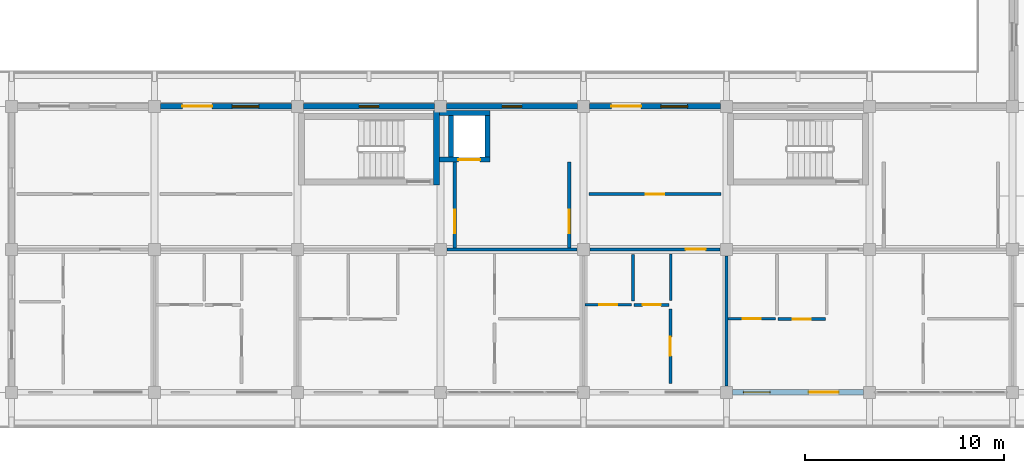
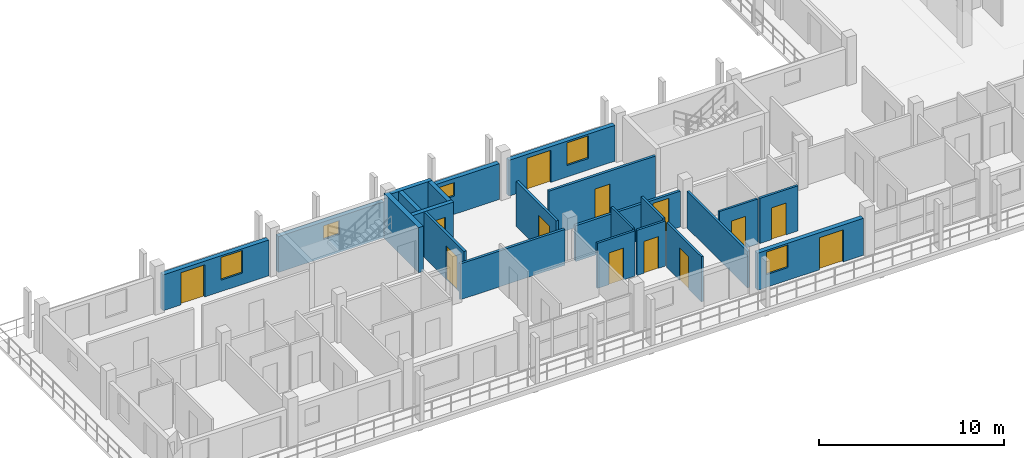
# One storey, part 52 of 76: 23 walls, 13 doors, 5 windows, 18 openings.
"""IFC4 building model written with IfcOpenShell, lengths in metres."""

from ifc_helpers import new_model, si_unit, direction, frame, frame_2d, origin, place, context, subcontext, project, spatial, rectangle, extrude, material, layer, layer_set, type_object, element, fill, save


model = new_model("IFC4")

# Units and contexts
model_context = context("Model", 3, precision=1e-05, world=origin(), true_north=direction((0.0, 1.0)))
body_context = subcontext(model_context, "Body", "Model", "MODEL_VIEW")
ifc_project = project(units=[si_unit("LENGTHUNIT", "METRE"), si_unit("AREAUNIT", "SQUARE_METRE"), si_unit("VOLUMEUNIT", "CUBIC_METRE"), si_unit("PLANEANGLEUNIT", "RADIAN"), si_unit("MASSUNIT", "GRAM", prefix="KILO")], contexts=[model_context])

# Site, building, storey
site_placement = place(None, origin())
site = spatial("IfcSite", under=ifc_project, at=site_placement, CompositionType="ELEMENT")
building_placement = place(site_placement, origin())
building = spatial("IfcBuilding", under=site, at=building_placement, Name="Suanplinth Sawtooth Commons", CompositionType="ELEMENT")
storey_placement = place(building_placement, frame((0.0, 0.0, 12.199951171875)))
storey = spatial("IfcBuildingStorey", under=building, at=storey_placement, Name="L03", CompositionType="ELEMENT", Elevation=12.199951171875)

# Wall
ifc_material_1 = material(Name="Concrete C40/50", Category="concrete")
ifc_layer_1 = layer(ifc_material_1, 0.300048828125, Name="Standard RC stair and lift core wall 300mm")
ifc_layer_set_1 = layer_set([ifc_layer_1], Name="Concrete C40/50")
wall_type_1 = type_object("IfcWallType", Name="W-CR02", PredefinedType="SHEAR", material=ifc_layer_set_1)
wall_1_placement = place(storey_placement, frame((143.800048828125, 10.449951171875, 0.0), z_axis=(0.0, 0.0, 1.0), x_axis=(0.0, 1.0, 0.0)))
element("IfcWall", 1, at=wall_1_placement, inside=storey, type_object=wall_type_1, Name="W-L03-C-C1-STE", PredefinedType="SHEAR", context=body_context, shape_type="SweptSolid", body=[
    extrude(rectangle(XDim=3.75, YDim=0.300048828125, at=frame_2d((1.875, 0.0))), origin(), (0.0, 0.0, 1.0), 2.97998046875),
])

# Wall, openings, door, window
ifc_material_2 = material(Name="Precast concrete C40/50", Category="concrete")
ifc_layer_2 = layer(ifc_material_2, 0.280029296875, Name="Insulated precast architectural facade wall 280mm")
ifc_layer_set_2 = layer_set([ifc_layer_2], Name="Precast concrete C40/50")
wall_type_2 = type_object("IfcWallType", Name="W-EX01", PredefinedType="ELEMENTEDWALL", material=ifc_layer_set_2)
wall_2_placement = place(storey_placement, frame((129.89990234375, 14.39990234375, 0.0), z_axis=(0.0, 0.0, 1.0), x_axis=(1.0, 0.0, 0.0)))
wall_2 = element("IfcWall", 2, at=wall_2_placement, inside=storey, type_object=wall_type_2, Name="Facade Wall W-L03-C-N-18-1", PredefinedType="ELEMENTEDWALL", context=body_context, shape_type="SweptSolid", body=[
    extrude(rectangle(XDim=6.60009765625, YDim=0.280029296875, at=frame_2d((3.300048828125, 0.0))), origin(), (0.0, 0.0, 1.0), 2.364990234375),
])
opening_1_placement = place(wall_2_placement, frame((1.10009765625, 0.0, 0.0)))
opening_1 = element("IfcOpeningElement", 3, at=opening_1_placement, cuts=wall_2, Name="Opening ED0271", PredefinedType="OPENING", context=body_context, shape_type="SweptSolid", body=[
    extrude(rectangle(XDim=1.5, YDim=2.1201171875, at=frame_2d((0.75, 1.06005859375))), frame((0.0, 0.15478515625, 0.0), z_axis=(0.0, -1.0, 0.0), x_axis=(1.0, 0.0, 0.0)), (0.0, 0.0, 1.0), 0.309814453125),
])
opening_2_placement = place(wall_2_placement, frame((3.60009765625, 0.0, 0.7548828125)))
opening_2 = element("IfcOpeningElement", 4, at=opening_2_placement, cuts=wall_2, Name="Opening W0377", PredefinedType="OPENING", context=body_context, shape_type="SweptSolid", body=[
    extrude(rectangle(XDim=1.35009765625, YDim=1.5, at=frame_2d((0.675048828125, 0.75))), frame((0.0, 0.15478515625, 0.0), z_axis=(0.0, -1.0, 0.0), x_axis=(1.0, 0.0, 0.0)), (0.0, 0.0, 1.0), 0.309814453125),
])
ifc_material_3 = material(Name="Anodized aluminium and low-E glass", Category="aluminium")
door_type_1 = type_object("IfcDoorType", Name="SD-03", OperationType="SLIDING_TO_LEFT", PredefinedType="DOOR", material=ifc_material_3)
door_1_placement = place(opening_1_placement, frame((1.5, 0.0, 0.0), z_axis=(0.0, 0.0, 1.0), x_axis=(-1.0, 0.0, 0.0)))
door_1 = element("IfcDoor", 5, at=door_1_placement, inside=storey, type_object=door_type_1, Name="Courtyard Balcony Door L03-C-18", OperationType="SLIDING_TO_LEFT", OverallHeight=2.1201171875, OverallWidth=1.5, PredefinedType="DOOR", context=body_context, shape_type="SweptSolid", body=[
    extrude(rectangle(XDim=1.5, YDim=2.1201171875, at=frame_2d((0.75, 1.06005859375))), frame((0.0, 0.02490234375, 0.0), z_axis=(0.0, -1.0, 0.0), x_axis=(1.0, 0.0, 0.0)), (0.0, 0.0, 1.0), 0.050048828125),
])
fill(opening_1, door_1)
ifc_material_4 = material(Name="Thermally broken aluminium and low-E double glazing", Category="aluminium")
window_type_1 = type_object("IfcWindowType", Name="WN-14", PartitioningType="SINGLE_PANEL", PredefinedType="WINDOW", material=ifc_material_4)
window_1_placement = place(opening_2_placement, origin())
window_1 = element("IfcWindow", 6, at=window_1_placement, inside=storey, type_object=window_type_1, Name="Courtyard Window L03-C-18", OverallHeight=1.5, OverallWidth=1.35009765625, PartitioningType="SINGLE_PANEL", PredefinedType="WINDOW", context=body_context, shape_type="SweptSolid", body=[
    extrude(rectangle(XDim=1.35009765625, YDim=1.5, at=frame_2d((0.675048828125, 0.75))), frame((0.0, 0.030029296875, 0.0), z_axis=(0.0, -1.0, 0.0), x_axis=(1.0, 0.0, 0.0)), (0.0, 0.0, 1.0), 0.06005859375),
])
fill(opening_2, window_1)

# Wall, opening, window
wall_3_placement = place(storey_placement, frame((137.10009765625, 14.39990234375, 0.0), z_axis=(0.0, 0.0, 1.0), x_axis=(1.0, 0.0, 0.0)))
wall_3 = element("IfcWall", 7, at=wall_3_placement, inside=storey, type_object=wall_type_2, Name="Facade Wall W-L03-C-N-19-1", PredefinedType="ELEMENTEDWALL", context=body_context, shape_type="SweptSolid", body=[
    extrude(rectangle(XDim=6.599853515625, YDim=0.280029296875, at=frame_2d((3.2998046875, 0.0))), origin(), (0.0, 0.0, 1.0), 2.364990234375),
])
opening_3_placement = place(wall_3_placement, frame((2.800048828125, 0.0, 1.199951171875)))
opening_3 = element("IfcOpeningElement", 8, at=opening_3_placement, cuts=wall_3, Name="Opening W0379", PredefinedType="OPENING", context=body_context, shape_type="SweptSolid", body=[
    extrude(rectangle(XDim=1.0, YDim=0.89990234375, at=frame_2d((0.5, 0.449951171875))), frame((0.0, 0.15478515625, 0.0), z_axis=(0.0, -1.0, 0.0), x_axis=(1.0, 0.0, 0.0)), (0.0, 0.0, 1.0), 0.309814453125),
])
window_type_2 = type_object("IfcWindowType", Name="WN-12", PartitioningType="SINGLE_PANEL", PredefinedType="WINDOW", material=ifc_material_4)
window_2_placement = place(opening_3_placement, origin())
window_2 = element("IfcWindow", 9, at=window_2_placement, inside=storey, type_object=window_type_2, Name="Core Daylight Window L03-C-19-1", OverallHeight=0.89990234375, OverallWidth=1.0, PartitioningType="SINGLE_PANEL", PredefinedType="WINDOW", context=body_context, shape_type="SweptSolid", body=[
    extrude(rectangle(XDim=1.0, YDim=0.89990234375, at=frame_2d((0.5, 0.449951171875))), frame((0.0, 0.030029296875, 0.0), z_axis=(0.0, -1.0, 0.0), x_axis=(1.0, 0.0, 0.0)), (0.0, 0.0, 1.0), 0.06005859375),
])
fill(opening_3, window_2)

wall_4_placement = place(storey_placement, frame((144.300048828125, 14.39990234375, 0.0), z_axis=(0.0, 0.0, 1.0), x_axis=(1.0, 0.0, 0.0)))
wall_4 = element("IfcWall", 10, at=wall_4_placement, inside=storey, type_object=wall_type_2, Name="Facade Wall W-L03-C-N-20-1", PredefinedType="ELEMENTEDWALL", context=body_context, shape_type="SweptSolid", body=[
    extrude(rectangle(XDim=6.599853515625, YDim=0.280029296875, at=frame_2d((3.2998046875, 0.0))), origin(), (0.0, 0.0, 1.0), 2.364990234375),
])
opening_4_placement = place(wall_4_placement, frame((2.800048828125, 0.0, 1.199951171875)))
opening_4 = element("IfcOpeningElement", 11, at=opening_4_placement, cuts=wall_4, Name="Opening W0380", PredefinedType="OPENING", context=body_context, shape_type="SweptSolid", body=[
    extrude(rectangle(XDim=1.0, YDim=0.89990234375, at=frame_2d((0.5, 0.449951171875))), frame((0.0, 0.15478515625, 0.0), z_axis=(0.0, -1.0, 0.0), x_axis=(1.0, 0.0, 0.0)), (0.0, 0.0, 1.0), 0.309814453125),
])
window_3_placement = place(opening_4_placement, origin())
window_3 = element("IfcWindow", 12, at=window_3_placement, inside=storey, type_object=window_type_2, Name="Core Daylight Window L03-C-20-1", OverallHeight=0.89990234375, OverallWidth=1.0, PartitioningType="SINGLE_PANEL", PredefinedType="WINDOW", context=body_context, shape_type="SweptSolid", body=[
    extrude(rectangle(XDim=1.0, YDim=0.89990234375, at=frame_2d((0.5, 0.449951171875))), frame((0.0, 0.030029296875, 0.0), z_axis=(0.0, -1.0, 0.0), x_axis=(1.0, 0.0, 0.0)), (0.0, 0.0, 1.0), 0.06005859375),
])
fill(opening_4, window_3)

# Wall, openings, door, window
wall_5_placement = place(storey_placement, frame((151.5, 14.39990234375, 0.0), z_axis=(0.0, 0.0, 1.0), x_axis=(1.0, 0.0, 0.0)))
wall_5 = element("IfcWall", 13, at=wall_5_placement, inside=storey, type_object=wall_type_2, Name="Facade Wall W-L03-C-N-21-1", PredefinedType="ELEMENTEDWALL", context=body_context, shape_type="SweptSolid", body=[
    extrude(rectangle(XDim=6.60009765625, YDim=0.280029296875, at=frame_2d((3.300048828125, 0.0))), origin(), (0.0, 0.0, 1.0), 2.364990234375),
])
opening_5_placement = place(wall_5_placement, frame((1.10009765625, 0.0, 0.0)))
opening_5 = element("IfcOpeningElement", 14, at=opening_5_placement, cuts=wall_5, Name="Opening ED0274", PredefinedType="OPENING", context=body_context, shape_type="SweptSolid", body=[
    extrude(rectangle(XDim=1.5, YDim=2.1201171875, at=frame_2d((0.75, 1.06005859375))), frame((0.0, 0.15478515625, 0.0), z_axis=(0.0, -1.0, 0.0), x_axis=(1.0, 0.0, 0.0)), (0.0, 0.0, 1.0), 0.309814453125),
])
opening_6_placement = place(wall_5_placement, frame((3.60009765625, 0.0, 0.7548828125)))
opening_6 = element("IfcOpeningElement", 15, at=opening_6_placement, cuts=wall_5, Name="Opening W0382", PredefinedType="OPENING", context=body_context, shape_type="SweptSolid", body=[
    extrude(rectangle(XDim=1.35009765625, YDim=1.5, at=frame_2d((0.675048828125, 0.75))), frame((0.0, 0.15478515625, 0.0), z_axis=(0.0, -1.0, 0.0), x_axis=(1.0, 0.0, 0.0)), (0.0, 0.0, 1.0), 0.309814453125),
])
door_2_placement = place(opening_5_placement, frame((1.5, 0.0, 0.0), z_axis=(0.0, 0.0, 1.0), x_axis=(-1.0, 0.0, 0.0)))
door_2 = element("IfcDoor", 16, at=door_2_placement, inside=storey, type_object=door_type_1, Name="Courtyard Balcony Door L03-C-21", OperationType="SLIDING_TO_LEFT", OverallHeight=2.1201171875, OverallWidth=1.5, PredefinedType="DOOR", context=body_context, shape_type="SweptSolid", body=[
    extrude(rectangle(XDim=1.5, YDim=2.1201171875, at=frame_2d((0.75, 1.06005859375))), frame((0.0, 0.02490234375, 0.0), z_axis=(0.0, -1.0, 0.0), x_axis=(1.0, 0.0, 0.0)), (0.0, 0.0, 1.0), 0.050048828125),
])
fill(opening_5, door_2)
window_4_placement = place(opening_6_placement, origin())
window_4 = element("IfcWindow", 17, at=window_4_placement, inside=storey, type_object=window_type_1, Name="Courtyard Window L03-C-21", OverallHeight=1.5, OverallWidth=1.35009765625, PartitioningType="SINGLE_PANEL", PredefinedType="WINDOW", context=body_context, shape_type="SweptSolid", body=[
    extrude(rectangle(XDim=1.35009765625, YDim=1.5, at=frame_2d((0.675048828125, 0.75))), frame((0.0, 0.030029296875, 0.0), z_axis=(0.0, -1.0, 0.0), x_axis=(1.0, 0.0, 0.0)), (0.0, 0.0, 1.0), 0.06005859375),
])
fill(opening_6, window_4)

wall_6_placement = place(storey_placement, frame((158.699951171875, 0.0, 0.0), z_axis=(0.0, 0.0, 1.0), x_axis=(1.0, 0.0, 0.0)))
wall_6 = element("IfcWall", 18, at=wall_6_placement, inside=storey, type_object=wall_type_2, Name="Facade Wall W-L03-C-S-22-0", PredefinedType="ELEMENTEDWALL", context=body_context, shape_type="SweptSolid", body=[
    extrude(rectangle(XDim=6.60009765625, YDim=0.280029296875, at=frame_2d((3.300048828125, 0.0))), origin(), (0.0, 0.0, 1.0), 2.445068359375),
])
opening_7_placement = place(wall_6_placement, frame((3.85009765625, 0.0, 0.0)))
opening_7 = element("IfcOpeningElement", 19, at=opening_7_placement, cuts=wall_6, Name="Opening ED0275", PredefinedType="OPENING", context=body_context, shape_type="SweptSolid", body=[
    extrude(rectangle(XDim=1.5, YDim=2.1201171875, at=frame_2d((0.75, 1.06005859375))), frame((0.0, 0.15478515625, 0.0), z_axis=(0.0, -1.0, 0.0), x_axis=(1.0, 0.0, 0.0)), (0.0, 0.0, 1.0), 0.309814453125),
])
opening_8_placement = place(wall_6_placement, frame((0.550048828125, 0.0, 0.8349609375)))
opening_8 = element("IfcOpeningElement", 20, at=opening_8_placement, cuts=wall_6, Name="Opening W0383", PredefinedType="OPENING", context=body_context, shape_type="SweptSolid", body=[
    extrude(rectangle(XDim=1.35009765625, YDim=1.5, at=frame_2d((0.675048828125, 0.75))), frame((0.0, 0.15478515625, 0.0), z_axis=(0.0, -1.0, 0.0), x_axis=(1.0, 0.0, 0.0)), (0.0, 0.0, 1.0), 0.309814453125),
])
door_3_placement = place(opening_7_placement, frame((1.5, 0.0, 0.0), z_axis=(0.0, 0.0, 1.0), x_axis=(-1.0, 0.0, 0.0)))
door_3 = element("IfcDoor", 21, at=door_3_placement, inside=storey, type_object=door_type_1, Name="Balcony Sliding Door L03-C-22", OperationType="SLIDING_TO_LEFT", OverallHeight=2.1201171875, OverallWidth=1.5, PredefinedType="DOOR", context=body_context, shape_type="SweptSolid", body=[
    extrude(rectangle(XDim=1.5, YDim=2.1201171875, at=frame_2d((0.75, 1.06005859375))), frame((0.0, 0.02490234375, 0.0), z_axis=(0.0, -1.0, 0.0), x_axis=(1.0, 0.0, 0.0)), (0.0, 0.0, 1.0), 0.050048828125),
])
fill(opening_7, door_3)
window_5_placement = place(opening_8_placement, origin())
window_5 = element("IfcWindow", 22, at=window_5_placement, inside=storey, type_object=window_type_1, Name="Apartment Window L03-C-22", OverallHeight=1.5, OverallWidth=1.35009765625, PartitioningType="SINGLE_PANEL", PredefinedType="WINDOW", context=body_context, shape_type="SweptSolid", body=[
    extrude(rectangle(XDim=1.35009765625, YDim=1.5, at=frame_2d((0.675048828125, 0.75))), frame((0.0, 0.030029296875, 0.0), z_axis=(0.0, -1.0, 0.0), x_axis=(1.0, 0.0, 0.0)), (0.0, 0.0, 1.0), 0.06005859375),
])
fill(opening_8, window_5)

# Wall, opening, door
ifc_layer_3 = layer(ifc_material_2, 0.159912109375, Name="Fire-rated corridor and lobby wall 160mm")
ifc_layer_set_3 = layer_set([ifc_layer_3], Name="Precast concrete C40/50")
wall_type_3 = type_object("IfcWallType", Name="W-FW01", PredefinedType="PARTITIONING", material=ifc_layer_set_3)
wall_7_placement = place(storey_placement, frame((144.719970703125, 7.280029296875, 0.0), z_axis=(0.0, 0.0, 1.0), x_axis=(0.0, 1.0, 0.0)))
wall_7 = element("IfcWall", 23, at=wall_7_placement, inside=storey, type_object=wall_type_3, Name="W-L03-C-C1-LOB-W", PredefinedType="PARTITIONING", context=body_context, shape_type="SweptSolid", body=[
    extrude(rectangle(XDim=4.320068359375, YDim=0.159912109375, at=frame_2d((2.16015625, 0.0))), origin(), (0.0, 0.0, 1.0), 2.97998046875),
])
opening_9_placement = place(wall_7_placement, frame((0.719970703125, 0.0, 0.0)))
opening_9 = element("IfcOpeningElement", 24, at=opening_9_placement, cuts=wall_7, Name="Opening FD0293", PredefinedType="OPENING", context=body_context, shape_type="SweptSolid", body=[
    extrude(rectangle(XDim=1.199951171875, YDim=2.199951171875, at=frame_2d((0.60009765625, 1.10009765625))), frame((0.0, 0.0947265625, 0.0), z_axis=(0.0, -1.0, 0.0), x_axis=(1.0, 0.0, 0.0)), (0.0, 0.0, 1.0), 0.189697265625),
])
ifc_material_5 = material(Name="Teak hardwood fire-rated door assembly", Category="wood")
door_type_2 = type_object("IfcDoorType", Name="FD-02", OperationType="NOTDEFINED", PredefinedType="DOOR", material=ifc_material_5)
door_4_placement = place(opening_9_placement, origin())
door_4 = element("IfcDoor", 25, at=door_4_placement, inside=storey, type_object=door_type_2, Name="Lobby Fire Door FD0293", OperationType="SINGLE_SWING_RIGHT", OverallHeight=2.199951171875, OverallWidth=1.199951171875, PredefinedType="DOOR", context=body_context, shape_type="SweptSolid", body=[
    extrude(rectangle(XDim=1.199951171875, YDim=2.199951171875, at=frame_2d((0.60009765625, 1.10009765625))), frame((0.0, 0.02490234375, 0.0), z_axis=(0.0, -1.0, 0.0), x_axis=(1.0, 0.0, 0.0)), (0.0, 0.0, 1.0), 0.050048828125),
])
fill(opening_9, door_4)

wall_8_placement = place(storey_placement, frame((150.47998046875, 7.280029296875, 0.0), z_axis=(0.0, 0.0, 1.0), x_axis=(0.0, 1.0, 0.0)))
wall_8 = element("IfcWall", 26, at=wall_8_placement, inside=storey, type_object=wall_type_3, Name="W-L03-C-C1-LOB-E", PredefinedType="PARTITIONING", context=body_context, shape_type="SweptSolid", body=[
    extrude(rectangle(XDim=4.320068359375, YDim=0.159912109375, at=frame_2d((2.16015625, 0.0))), origin(), (0.0, 0.0, 1.0), 2.97998046875),
])
opening_10_placement = place(wall_8_placement, frame((0.719970703125, 0.0, 0.0)))
opening_10 = element("IfcOpeningElement", 27, at=opening_10_placement, cuts=wall_8, Name="Opening FD0294", PredefinedType="OPENING", context=body_context, shape_type="SweptSolid", body=[
    extrude(rectangle(XDim=1.199951171875, YDim=2.199951171875, at=frame_2d((0.60009765625, 1.10009765625))), frame((0.0, 0.0947265625, 0.0), z_axis=(0.0, -1.0, 0.0), x_axis=(1.0, 0.0, 0.0)), (0.0, 0.0, 1.0), 0.189697265625),
])
door_5_placement = place(opening_10_placement, frame((1.199951171875, 0.0, 0.0), z_axis=(0.0, 0.0, 1.0), x_axis=(-1.0, 0.0, 0.0)))
door_5 = element("IfcDoor", 28, at=door_5_placement, inside=storey, type_object=door_type_2, Name="Lobby Fire Door FD0294", OperationType="SINGLE_SWING_LEFT", OverallHeight=2.199951171875, OverallWidth=1.199951171875, PredefinedType="DOOR", context=body_context, shape_type="SweptSolid", body=[
    extrude(rectangle(XDim=1.199951171875, YDim=2.199951171875, at=frame_2d((0.60009765625, 1.10009765625))), frame((0.0, 0.02490234375, 0.0), z_axis=(0.0, -1.0, 0.0), x_axis=(1.0, 0.0, 0.0)), (0.0, 0.0, 1.0), 0.050048828125),
])
fill(opening_10, door_5)

# Wall
wall_9_placement = place(storey_placement, frame((144.330078125, 7.199951171875, 0.0), z_axis=(0.0, 0.0, 1.0), x_axis=(1.0, 0.0, 0.0)))
element("IfcWall", 29, at=wall_9_placement, inside=storey, type_object=wall_type_3, Name="W-C-L03-U03-COR-S2", PredefinedType="PARTITIONING", context=body_context, shape_type="SweptSolid", body=[
    extrude(rectangle(XDim=6.5400390625, YDim=0.159912109375, at=frame_2d((3.27001953125, 0.0))), origin(), (0.0, 0.0, 1.0), 2.364990234375),
])

# Wall, opening, door
wall_10_placement = place(storey_placement, frame((151.530029296875, 7.199951171875, 0.0), z_axis=(0.0, 0.0, 1.0), x_axis=(1.0, 0.0, 0.0)))
wall_10 = element("IfcWall", 30, at=wall_10_placement, inside=storey, type_object=wall_type_3, Name="W-C-L03-U04-COR", PredefinedType="PARTITIONING", context=body_context, shape_type="SweptSolid", body=[
    extrude(rectangle(XDim=6.5400390625, YDim=0.159912109375, at=frame_2d((3.27001953125, 0.0))), origin(), (0.0, 0.0, 1.0), 2.364990234375),
])
opening_11_placement = place(wall_10_placement, frame((4.820068359375, 0.0, 0.0)))
opening_11 = element("IfcOpeningElement", 31, at=opening_11_placement, cuts=wall_10, Name="Opening FD0973", PredefinedType="OPENING", context=body_context, shape_type="SweptSolid", body=[
    extrude(rectangle(XDim=1.0, YDim=2.14990234375, at=frame_2d((0.5, 1.074951171875))), frame((0.0, 0.0947265625, 0.0), z_axis=(0.0, -1.0, 0.0), x_axis=(1.0, 0.0, 0.0)), (0.0, 0.0, 1.0), 0.189697265625),
])
door_type_3 = type_object("IfcDoorType", Name="FD-03", OperationType="NOTDEFINED", PredefinedType="DOOR", material=ifc_material_5)
door_6_placement = place(opening_11_placement, frame((1.0, 0.0, 0.0), z_axis=(0.0, 0.0, 1.0), x_axis=(-1.0, 0.0, 0.0)))
door_6 = element("IfcDoor", 32, at=door_6_placement, inside=storey, type_object=door_type_3, Name="Unit Entrance Door FD0973", OperationType="SINGLE_SWING_LEFT", OverallHeight=2.14990234375, OverallWidth=1.0, PredefinedType="DOOR", context=body_context, shape_type="SweptSolid", body=[
    extrude(rectangle(XDim=1.0, YDim=2.14990234375, at=frame_2d((0.5, 1.074951171875))), frame((0.0, 0.02490234375, 0.0), z_axis=(0.0, -1.0, 0.0), x_axis=(1.0, 0.0, 0.0)), (0.0, 0.0, 1.0), 0.050048828125),
])
fill(opening_11, door_6)

wall_11_placement = place(storey_placement, frame((151.47998046875, 9.97998046875, 0.0), z_axis=(0.0, 0.0, 1.0), x_axis=(1.0, 0.0, 0.0)))
wall_11 = element("IfcWall", 33, at=wall_11_placement, inside=storey, type_object=wall_type_3, Name="W-C-L03-COURTROOM-50-COR", PredefinedType="PARTITIONING", context=body_context, shape_type="SweptSolid", body=[
    extrude(rectangle(XDim=6.64013671875, YDim=0.159912109375, at=frame_2d((3.320068359375, 0.0))), origin(), (0.0, 0.0, 1.0), 2.97998046875),
])
opening_12_placement = place(wall_11_placement, frame((2.85009765625, 0.0, 0.0)))
opening_12 = element("IfcOpeningElement", 34, at=opening_12_placement, cuts=wall_11, Name="Opening D0991", PredefinedType="OPENING", context=body_context, shape_type="SweptSolid", body=[
    extrude(rectangle(XDim=0.93994140625, YDim=2.1201171875, at=frame_2d((0.469970703125, 1.06005859375))), frame((0.0, 0.0947265625, 0.0), z_axis=(0.0, -1.0, 0.0), x_axis=(1.0, 0.0, 0.0)), (0.0, 0.0, 1.0), 0.189697265625),
])
ifc_material_6 = material(Name="Teak hardwood", Category="wood")
door_type_4 = type_object("IfcDoorType", Name="D-15", OperationType="NOTDEFINED", PredefinedType="DOOR", material=ifc_material_6)
door_7_placement = place(opening_12_placement, origin())
door_7 = element("IfcDoor", 35, at=door_7_placement, inside=storey, type_object=door_type_4, Name="Study Studio Door D0991", OperationType="SINGLE_SWING_LEFT", OverallHeight=2.1201171875, OverallWidth=0.93994140625, PredefinedType="DOOR", context=body_context, shape_type="SweptSolid", body=[
    extrude(rectangle(XDim=0.93994140625, YDim=2.1201171875, at=frame_2d((0.469970703125, 1.06005859375))), frame((0.0, 0.02490234375, 0.0), z_axis=(0.0, -1.0, 0.0), x_axis=(1.0, 0.0, 0.0)), (0.0, 0.0, 1.0), 0.050048828125),
])
fill(opening_12, door_7)

# Wall
ifc_layer_4 = layer(ifc_material_2, 0.14990234375, Name="Acoustic precast party demising wall 150mm")
ifc_layer_set_4 = layer_set([ifc_layer_4], Name="Precast concrete C40/50")
wall_type_4 = type_object("IfcWallType", Name="W-FW02", PredefinedType="PARTITIONING", material=ifc_layer_set_4)
wall_12_placement = place(storey_placement, frame((158.39990234375, 0.330078125, 0.0), z_axis=(0.0, 0.0, 1.0), x_axis=(0.0, 1.0, 0.0)))
element("IfcWall", 36, at=wall_12_placement, inside=storey, type_object=wall_type_4, Name="W-C-L03-U04-PTY", PredefinedType="PARTITIONING", context=body_context, shape_type="SweptSolid", body=[
    extrude(rectangle(XDim=6.5400390625, YDim=0.14990234375, at=frame_2d((3.27001953125, 0.0))), origin(), (0.0, 0.0, 1.0), 2.4150390625),
])

# Wall, opening, door
ifc_material_7 = material(Name="Gypsum plasterboard on steel stud", Category="steel")
ifc_layer_5 = layer(ifc_material_7, 0.139892578125, Name="Fire-rated kitchen partition 140mm")
ifc_layer_set_5 = layer_set([ifc_layer_5], Name="Gypsum plasterboard on steel stud")
wall_type_5 = type_object("IfcWallType", Name="W-PT01", PredefinedType="PARTITIONING", material=ifc_layer_set_5)
wall_13_placement = place(storey_placement, frame((153.75, 4.39990234375, 0.0), z_axis=(0.0, 0.0, 1.0), x_axis=(1.0, 0.0, 0.0)))
wall_13 = element("IfcWall", 37, at=wall_13_placement, inside=storey, type_object=wall_type_5, Name="W-C-L03-U04-KIT1", PredefinedType="PARTITIONING", context=body_context, shape_type="SweptSolid", body=[
    extrude(rectangle(XDim=1.77001953125, YDim=0.139892578125, at=frame_2d((0.885009765625, 0.0))), origin(), (0.0, 0.0, 1.0), 2.97998046875),
])
opening_13_placement = place(wall_13_placement, frame((0.425048828125, 0.0, 0.0)))
opening_13 = element("IfcOpeningElement", 38, at=opening_13_placement, cuts=wall_13, Name="Opening D0975", PredefinedType="OPENING", context=body_context, shape_type="SweptSolid", body=[
    extrude(rectangle(XDim=0.919921875, YDim=2.10009765625, at=frame_2d((0.4599609375, 1.050048828125))), frame((0.0, 0.0849609375, 0.0), z_axis=(0.0, -1.0, 0.0), x_axis=(1.0, 0.0, 0.0)), (0.0, 0.0, 1.0), 0.169677734375),
])
door_type_5 = type_object("IfcDoorType", Name="D-02", OperationType="NOTDEFINED", PredefinedType="DOOR", material=ifc_material_6)
door_8_placement = place(opening_13_placement, origin())
door_8 = element("IfcDoor", 39, at=door_8_placement, inside=storey, type_object=door_type_5, Name="Kitchen Door D0975", OperationType="SINGLE_SWING_LEFT", OverallHeight=2.10009765625, OverallWidth=0.919921875, PredefinedType="DOOR", context=body_context, shape_type="SweptSolid", body=[
    extrude(rectangle(XDim=0.919921875, YDim=2.10009765625, at=frame_2d((0.4599609375, 1.050048828125))), frame((0.0, 0.02490234375, 0.0), z_axis=(0.0, -1.0, 0.0), x_axis=(1.0, 0.0, 0.0)), (0.0, 0.0, 1.0), 0.050048828125),
])
fill(opening_13, door_8)

# Wall
wall_14_placement = place(storey_placement, frame((155.590087890625, 4.6201171875, 0.0), z_axis=(0.0, 0.0, 1.0), x_axis=(0.0, 1.0, 0.0)))
element("IfcWall", 40, at=wall_14_placement, inside=storey, type_object=wall_type_5, Name="W-C-L03-U04-KIT2", PredefinedType="PARTITIONING", context=body_context, shape_type="SweptSolid", body=[
    extrude(rectangle(XDim=2.349853515625, YDim=0.139892578125, at=frame_2d((1.1748046875, 0.0))), origin(), (0.0, 0.0, 1.0), 2.97998046875),
])

# Wall, opening, door
wall_15_placement = place(storey_placement, frame((161.0, 3.68994140625, 0.0), z_axis=(0.0, 0.0, 1.0), x_axis=(1.0, 0.0, 0.0)))
wall_15 = element("IfcWall", 41, at=wall_15_placement, inside=storey, type_object=wall_type_5, Name="W-C-L03-U05-KIT1", PredefinedType="PARTITIONING", context=body_context, shape_type="SweptSolid", body=[
    extrude(rectangle(XDim=2.3798828125, YDim=0.139892578125, at=frame_2d((1.18994140625, 0.0))), origin(), (0.0, 0.0, 1.0), 2.97998046875),
])
opening_14_placement = place(wall_15_placement, frame((0.72998046875, 0.0, 0.0)))
opening_14 = element("IfcOpeningElement", 42, at=opening_14_placement, cuts=wall_15, Name="Opening D0979", PredefinedType="OPENING", context=body_context, shape_type="SweptSolid", body=[
    extrude(rectangle(XDim=0.919921875, YDim=2.10009765625, at=frame_2d((0.4599609375, 1.050048828125))), frame((0.0, 0.0849609375, 0.0), z_axis=(0.0, -1.0, 0.0), x_axis=(1.0, 0.0, 0.0)), (0.0, 0.0, 1.0), 0.169677734375),
])
door_9_placement = place(opening_14_placement, origin())
door_9 = element("IfcDoor", 43, at=door_9_placement, inside=storey, type_object=door_type_5, Name="Kitchen Door D0979", OperationType="SINGLE_SWING_LEFT", OverallHeight=2.10009765625, OverallWidth=0.919921875, PredefinedType="DOOR", context=body_context, shape_type="SweptSolid", body=[
    extrude(rectangle(XDim=0.919921875, YDim=2.10009765625, at=frame_2d((0.4599609375, 1.050048828125))), frame((0.0, 0.02490234375, 0.0), z_axis=(0.0, -1.0, 0.0), x_axis=(1.0, 0.0, 0.0)), (0.0, 0.0, 1.0), 0.050048828125),
])
fill(opening_14, door_9)

ifc_layer_6 = layer(ifc_material_7, 0.1298828125, Name="Moisture-resistant bathroom partition 130mm")
ifc_layer_set_6 = layer_set([ifc_layer_6], Name="Gypsum plasterboard on steel stud")
wall_type_6 = type_object("IfcWallType", Name="W-PT02", PredefinedType="PARTITIONING", material=ifc_layer_set_6)
wall_16_placement = place(storey_placement, frame((151.280029296875, 4.405029296875, 0.0), z_axis=(0.0, 0.0, 1.0), x_axis=(1.0, 0.0, 0.0)))
wall_16 = element("IfcWall", 44, at=wall_16_placement, inside=storey, type_object=wall_type_6, Name="W-C-L03-U04-BTH1", PredefinedType="PARTITIONING", context=body_context, shape_type="SweptSolid", body=[
    extrude(rectangle(XDim=2.349853515625, YDim=0.1298828125, at=frame_2d((1.1748046875, 0.0))), origin(), (0.0, 0.0, 1.0), 2.97998046875),
])
opening_15_placement = place(wall_16_placement, frame((0.72509765625, 0.0, 0.0)))
opening_15 = element("IfcOpeningElement", 45, at=opening_15_placement, cuts=wall_16, Name="Opening D0974", PredefinedType="OPENING", context=body_context, shape_type="SweptSolid", body=[
    extrude(rectangle(XDim=0.89990234375, YDim=2.10009765625, at=frame_2d((0.449951171875, 1.050048828125))), frame((0.0, 0.079833984375, 0.0), z_axis=(0.0, -1.0, 0.0), x_axis=(1.0, 0.0, 0.0)), (0.0, 0.0, 1.0), 0.15966796875),
])
door_type_6 = type_object("IfcDoorType", Name="D-01", OperationType="NOTDEFINED", PredefinedType="DOOR", material=ifc_material_6)
door_10_placement = place(opening_15_placement, origin())
door_10 = element("IfcDoor", 46, at=door_10_placement, inside=storey, type_object=door_type_6, Name="Bathroom Door D0974", OperationType="SINGLE_SWING_RIGHT", OverallHeight=2.10009765625, OverallWidth=0.89990234375, PredefinedType="DOOR", context=body_context, shape_type="SweptSolid", body=[
    extrude(rectangle(XDim=0.89990234375, YDim=2.10009765625, at=frame_2d((0.449951171875, 1.050048828125))), frame((0.0, 0.02490234375, 0.0), z_axis=(0.0, -1.0, 0.0), x_axis=(1.0, 0.0, 0.0)), (0.0, 0.0, 1.0), 0.050048828125),
])
fill(opening_15, door_10)

# Wall
wall_17_placement = place(storey_placement, frame((153.695068359375, 4.610107421875, 0.0), z_axis=(0.0, 0.0, 1.0), x_axis=(0.0, 1.0, 0.0)))
element("IfcWall", 47, at=wall_17_placement, inside=storey, type_object=wall_type_6, Name="W-C-L03-U04-BTH2", PredefinedType="PARTITIONING", context=body_context, shape_type="SweptSolid", body=[
    extrude(rectangle(XDim=2.329833984375, YDim=0.1298828125, at=frame_2d((1.1650390625, 0.0))), origin(), (0.0, 0.0, 1.0), 2.97998046875),
])

# Wall, opening, door
wall_18_placement = place(storey_placement, frame((158.47998046875, 3.695068359375, 0.0), z_axis=(0.0, 0.0, 1.0), x_axis=(1.0, 0.0, 0.0)))
wall_18 = element("IfcWall", 48, at=wall_18_placement, inside=storey, type_object=wall_type_6, Name="W-C-L03-U05-BTH1", PredefinedType="PARTITIONING", context=body_context, shape_type="SweptSolid", body=[
    extrude(rectangle(XDim=2.39990234375, YDim=0.1298828125, at=frame_2d((1.199951171875, 0.0))), origin(), (0.0, 0.0, 1.0), 2.97998046875),
])
opening_16_placement = place(wall_18_placement, frame((0.75, 0.0, 0.0)))
opening_16 = element("IfcOpeningElement", 49, at=opening_16_placement, cuts=wall_18, Name="Opening D0978", PredefinedType="OPENING", context=body_context, shape_type="SweptSolid", body=[
    extrude(rectangle(XDim=0.89990234375, YDim=2.10009765625, at=frame_2d((0.449951171875, 1.050048828125))), frame((0.0, 0.079833984375, 0.0), z_axis=(0.0, -1.0, 0.0), x_axis=(1.0, 0.0, 0.0)), (0.0, 0.0, 1.0), 0.15966796875),
])
door_11_placement = place(opening_16_placement, origin())
door_11 = element("IfcDoor", 50, at=door_11_placement, inside=storey, type_object=door_type_6, Name="Bathroom Door D0978", OperationType="SINGLE_SWING_RIGHT", OverallHeight=2.10009765625, OverallWidth=0.89990234375, PredefinedType="DOOR", context=body_context, shape_type="SweptSolid", body=[
    extrude(rectangle(XDim=0.89990234375, YDim=2.10009765625, at=frame_2d((0.449951171875, 1.050048828125))), frame((0.0, 0.02490234375, 0.0), z_axis=(0.0, -1.0, 0.0), x_axis=(1.0, 0.0, 0.0)), (0.0, 0.0, 1.0), 0.050048828125),
])
fill(opening_16, door_11)

ifc_layer_7 = layer(ifc_material_7, 0.135009765625, Name="Insulated bedroom demising partition 135mm")
ifc_layer_set_7 = layer_set([ifc_layer_7], Name="Gypsum plasterboard on steel stud")
wall_type_7 = type_object("IfcWallType", Name="W-PT07", PredefinedType="PARTITIONING", material=ifc_layer_set_7)
wall_19_placement = place(storey_placement, frame((155.580078125, 0.43994140625, 0.0), z_axis=(0.0, 0.0, 1.0), x_axis=(0.0, 1.0, 0.0)))
wall_19 = element("IfcWall", 51, at=wall_19_placement, inside=storey, type_object=wall_type_7, Name="W-C-L03-U04-BED1", PredefinedType="PARTITIONING", context=body_context, shape_type="SweptSolid", body=[
    extrude(rectangle(XDim=3.75, YDim=0.135009765625, at=frame_2d((1.875, 0.0))), origin(), (0.0, 0.0, 1.0), 2.97998046875),
])
opening_17_placement = place(wall_19_placement, frame((1.39990234375, 0.0, 0.0)))
opening_17 = element("IfcOpeningElement", 52, at=opening_17_placement, cuts=wall_19, Name="Opening D0976", PredefinedType="OPENING", context=body_context, shape_type="SweptSolid", body=[
    extrude(rectangle(XDim=0.949951171875, YDim=2.14990234375, at=frame_2d((0.47509765625, 1.074951171875))), frame((0.0, 0.08251953125, 0.0), z_axis=(0.0, -1.0, 0.0), x_axis=(1.0, 0.0, 0.0)), (0.0, 0.0, 1.0), 0.164794921875),
])
door_type_7 = type_object("IfcDoorType", Name="D-03", OperationType="NOTDEFINED", PredefinedType="DOOR", material=ifc_material_6)
door_12_placement = place(opening_17_placement, origin())
door_12 = element("IfcDoor", 53, at=door_12_placement, inside=storey, type_object=door_type_7, Name="Bedroom Door D0976", OperationType="SINGLE_SWING_RIGHT", OverallHeight=2.14990234375, OverallWidth=0.949951171875, PredefinedType="DOOR", context=body_context, shape_type="SweptSolid", body=[
    extrude(rectangle(XDim=0.949951171875, YDim=2.14990234375, at=frame_2d((0.47509765625, 1.074951171875))), frame((0.0, 0.02490234375, 0.0), z_axis=(0.0, -1.0, 0.0), x_axis=(1.0, 0.0, 0.0)), (0.0, 0.0, 1.0), 0.050048828125),
])
fill(opening_17, door_12)

ifc_layer_8 = layer(ifc_material_2, 0.25, Name="Precast structural shear wall 250mm")
ifc_layer_set_8 = layer_set([ifc_layer_8], Name="Precast concrete C40/50")
wall_type_8 = type_object("IfcWallType", Name="W-SH01", PredefinedType="SHEAR", material=ifc_layer_set_8)
wall_20_placement = place(storey_placement, frame((143.949951171875, 11.72509765625, 0.0), z_axis=(0.0, 0.0, 1.0), x_axis=(1.0, 0.0, 0.0)))
wall_20 = element("IfcWall", 54, at=wall_20_placement, inside=storey, type_object=wall_type_8, Name="W-L03-LF5-S", PredefinedType="SHEAR", context=body_context, shape_type="SweptSolid", body=[
    extrude(rectangle(XDim=2.550048828125, YDim=0.25, at=frame_2d((1.27490234375, 0.0))), origin(), (0.0, 0.0, 1.0), 2.97998046875),
])
opening_18_placement = place(wall_20_placement, frame((0.949951171875, 0.0, 0.0)))
opening_18 = element("IfcOpeningElement", 55, at=opening_18_placement, cuts=wall_20, Name="Opening LD0295", PredefinedType="OPENING", context=body_context, shape_type="SweptSolid", body=[
    extrude(rectangle(XDim=1.10009765625, YDim=2.14990234375, at=frame_2d((0.550048828125, 1.074951171875))), frame((0.0, 0.139892578125, 0.0), z_axis=(0.0, -1.0, 0.0), x_axis=(1.0, 0.0, 0.0)), (0.0, 0.0, 1.0), 0.27978515625),
])
ifc_material_8 = material(Name="Stainless steel Grade 304", Category="steel")
door_type_8 = type_object("IfcDoorType", Name="LD-01", OperationType="SLIDING_TO_LEFT", PredefinedType="DOOR", material=ifc_material_8)
door_13_placement = place(opening_18_placement, frame((1.10009765625, 0.0, 0.0), z_axis=(0.0, 0.0, 1.0), x_axis=(-1.0, 0.0, 0.0)))
door_13 = element("IfcDoor", 56, at=door_13_placement, inside=storey, type_object=door_type_8, Name="Lift Landing Sliding Door LF5 L03", OperationType="SLIDING_TO_LEFT", OverallHeight=2.14990234375, OverallWidth=1.10009765625, PredefinedType="DOOR", context=body_context, shape_type="SweptSolid", body=[
    extrude(rectangle(XDim=1.10009765625, YDim=2.14990234375, at=frame_2d((0.550048828125, 1.074951171875))), frame((0.0, 0.02490234375, 0.0), z_axis=(0.0, -1.0, 0.0), x_axis=(1.0, 0.0, 0.0)), (0.0, 0.0, 1.0), 0.050048828125),
])
fill(opening_18, door_13)

# Walls
wall_21_placement = place(storey_placement, frame((143.949951171875, 14.074951171875, 0.0), z_axis=(0.0, 0.0, 1.0), x_axis=(1.0, 0.0, 0.0)))
element("IfcWall", 57, at=wall_21_placement, inside=storey, type_object=wall_type_8, Name="W-L03-LF5-N", PredefinedType="SHEAR", context=body_context, shape_type="SweptSolid", body=[
    extrude(rectangle(XDim=2.550048828125, YDim=0.25, at=frame_2d((1.27490234375, 0.0))), origin(), (0.0, 0.0, 1.0), 2.97998046875),
])
for number, where, z_axis, x_axis, name in (
    (58, (144.52490234375, 11.85009765625, 0.0), (0.0, 0.0, 1.0), (0.0, 1.0, 0.0), "W-L03-LF5-W"),
    (59, (146.375, 11.85009765625, 0.0), (0.0, 0.0, 1.0), (0.0, 1.0, 0.0), "W-L03-LF5-E"),
):
    element("IfcWall", number, at=place(storey_placement, frame(where, z_axis=z_axis, x_axis=x_axis)), inside=storey, type_object=wall_type_8, Name=name, PredefinedType="SHEAR", context=body_context, shape_type="SweptSolid", body=[
        extrude(rectangle(XDim=2.099853515625, YDim=0.25, at=frame_2d((1.0498046875, 0.0))), origin(), (0.0, 0.0, 1.0), 2.97998046875),
    ])

save(model, "model.ifc")
